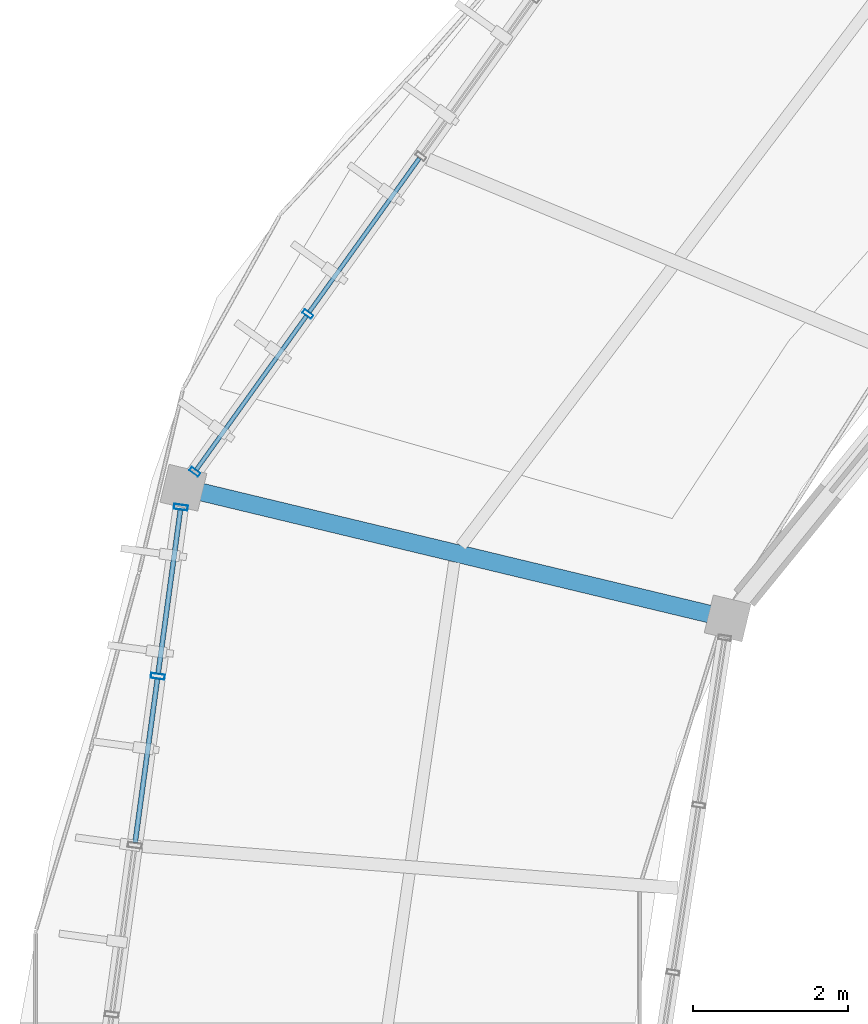
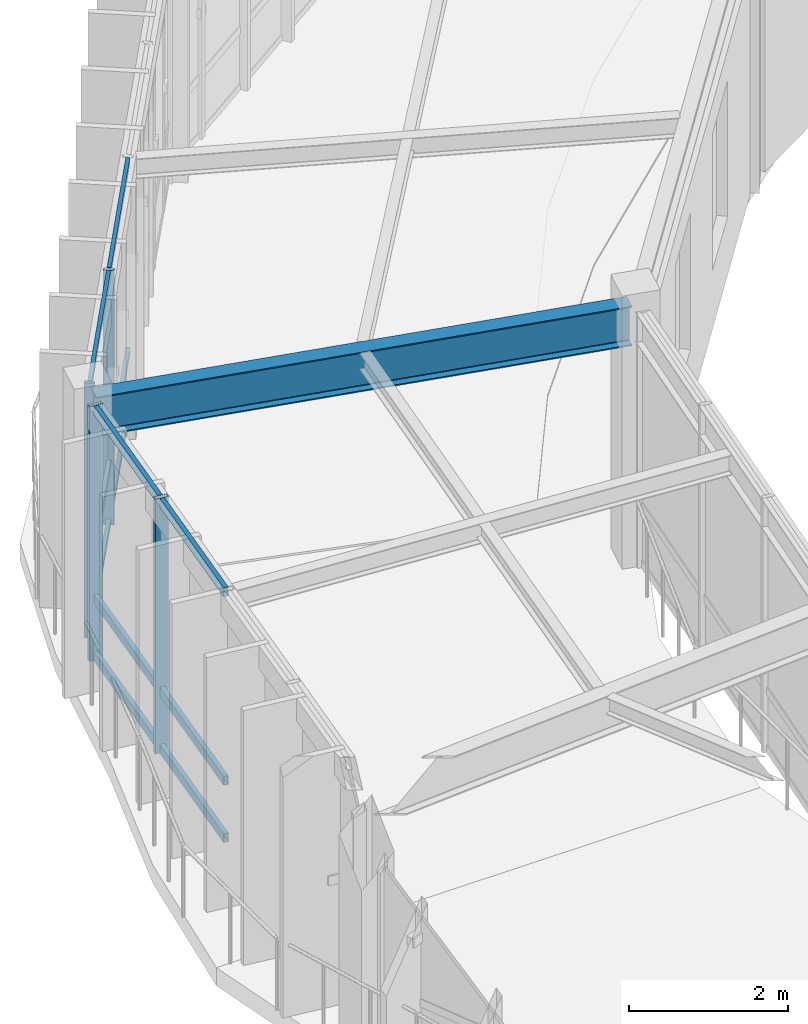
# One storey, part 23 of 78: 16 members, 1 beam, 2 elements without a shape of their own.
"""IFC4 building model written with IfcOpenShell, lengths in metres."""

import ifcopenshell
import ifcopenshell.guid

model = None  # the IFC model being written
_history = None  # IfcOwnerHistory: only IFC2X3 demands one
_inside = {}  # id of a spatial element -> (the spatial element, [elements in it])
_under = {}  # id of a project, library or spatial element -> (it, [spatial elements below it])
_declared = {}  # id of a project -> (the project, [libraries it declares])
_typed = {}  # id of a type object -> (the type object, [elements of that type])
_made_of = {}  # id of a material, layer set ... -> (it, [elements and type objects made of it])


def new_model(schema):
    """Start an empty IFC model of exactly this schema.

    Asked for "IFC4X3", IfcOpenShell would pick the latest addendum, in which some entities
    have other attributes; the version numbers below select the first issue.
    IFC2X3 requires an IfcOwnerHistory on every rooted entity: one is made here for all.
    """
    global model, _history
    if schema == "IFC4X3":
        model = ifcopenshell.file(schema_version=(4, 3, 0, 0))
    else:
        model = ifcopenshell.file(schema=schema)
    _inside.clear()
    _under.clear()
    _declared.clear()
    _typed.clear()
    _made_of.clear()
    _history = None
    if model.schema == "IFC2X3":
        org = make("IfcOrganization", Name="unknown")
        user = make(
            "IfcPersonAndOrganization",
            ThePerson=make("IfcPerson", FamilyName="unknown"),
            TheOrganization=org,
        )
        app = make(
            "IfcApplication",
            ApplicationDeveloper=org,
            Version="unknown",
            ApplicationFullName="unknown",
            ApplicationIdentifier="unknown",
        )
        _history = make(
            "IfcOwnerHistory",
            OwningUser=user,
            OwningApplication=app,
            ChangeAction="ADDED",
            CreationDate=0,
        )
    return model


def make(cls, **values):
    """One entity of the class cls with the attributes given. An attribute that is None is left unset."""
    return model.create_entity(
        cls, **{name: value for name, value in values.items() if value is not None}
    )


def rooted(cls, **values):
    """An entity with a GlobalId (a new one), such as an element, a storey or a relation."""
    return make(cls, GlobalId=ifcopenshell.guid.new(), OwnerHistory=_history, **values)


def si_unit(unit_type, name, prefix=None):
    """IfcSIUnit, for example si_unit("LENGTHUNIT", "METRE", prefix="MILLI")."""
    return make("IfcSIUnit", UnitType=unit_type, Prefix=prefix, Name=name)


def assignment(units):
    """IfcUnitAssignment: the units of a project."""
    return None if units is None else make("IfcUnitAssignment", Units=units)


def point(xyz):
    """IfcCartesianPoint."""
    return None if xyz is None else make("IfcCartesianPoint", Coordinates=xyz)


def direction(xyz):
    """IfcDirection."""
    return None if xyz is None else make("IfcDirection", DirectionRatios=xyz)


def frame(location, z_axis=None, x_axis=None):
    """IfcAxis2Placement3D, a coordinate frame: its origin and axes. An axis left out is left unset."""
    return make(
        "IfcAxis2Placement3D",
        Location=point(location),
        Axis=direction(z_axis),
        RefDirection=direction(x_axis),
    )


def frame_2d(location, x_axis=None):
    """IfcAxis2Placement2D, a coordinate frame in the plane: its origin and x axis."""
    return make(
        "IfcAxis2Placement2D", Location=point(location), RefDirection=direction(x_axis)
    )


def origin():
    """The frame at (0, 0, 0) with its axes left unset."""
    return frame((0.0, 0.0, 0.0))


def origin_2d():
    """The frame at (0, 0) in the plane with its x axis left unset."""
    return frame_2d((0.0, 0.0))


def place(relative_to, where):
    """IfcLocalPlacement: puts the frame where relative to a parent placement (None: the world)."""
    return make(
        "IfcLocalPlacement", PlacementRelTo=relative_to, RelativePlacement=where
    )


def context(
    kind, dimensions, precision=None, world=None, true_north=None, identifier=None
):
    """IfcGeometricRepresentationContext, for example the 3D "Model" context."""
    return make(
        "IfcGeometricRepresentationContext",
        ContextIdentifier=identifier,
        ContextType=kind,
        CoordinateSpaceDimension=dimensions,
        Precision=precision,
        WorldCoordinateSystem=world,
        TrueNorth=true_north,
    )


def subcontext(parent, identifier, kind, view, scale=None):
    """IfcGeometricRepresentationSubContext, for example "Body" below "Model"."""
    return make(
        "IfcGeometricRepresentationSubContext",
        ContextIdentifier=identifier,
        ContextType=kind,
        ParentContext=parent,
        TargetScale=scale,
        TargetView=view,
    )


def project(units=None, contexts=None):
    """IfcProject with its units and contexts."""
    return rooted(
        "IfcProject",
        Name="project",
        RepresentationContexts=contexts,
        UnitsInContext=assignment(units),
    )


def spatial(cls, under=None, at=None, **own):
    """A site, building, storey or space (cls), placed at a placement, below another one or the project."""
    s = rooted(cls, ObjectPlacement=at, **own)
    if under is not None:
        _under.setdefault(under.id(), (under, []))[1].append(s)
    return s


def profile(cls, at=None, kind="AREA", **sizes):
    """A parametric profile (cls). Its sizes go by their IFC names, for example OverallWidth=200.0."""
    return make(cls, ProfileType=kind, Position=at, **sizes)


def hollow_rectangle(**sizes):
    """IfcRectangleHollowProfileDef."""
    return profile("IfcRectangleHollowProfileDef", **sizes)


def i_section(**sizes):
    """IfcIShapeProfileDef."""
    return profile("IfcIShapeProfileDef", **sizes)


def extrude(swept, where, along, depth):
    """IfcExtrudedAreaSolid: the profile swept, set in the frame where, extruded along a direction by depth."""
    return make(
        "IfcExtrudedAreaSolid",
        SweptArea=swept,
        Position=where,
        ExtrudedDirection=direction(along),
        Depth=depth,
    )


def shape(context_of_items, identifier, shape_type, items):
    """IfcShapeRepresentation: the items that make up one representation, for example the "Body"."""
    return make(
        "IfcShapeRepresentation",
        ContextOfItems=context_of_items,
        RepresentationIdentifier=identifier,
        RepresentationType=shape_type,
        Items=items,
    )


def material(Name=None, Category=None):
    """IfcMaterial."""
    return make("IfcMaterial", Name=Name, Category=Category)


def material_profile(
    of_material, cross_section, Name=None, Category=None, Priority=None
):
    """IfcMaterialProfile: a cross section and its material."""
    return make(
        "IfcMaterialProfile",
        Name=Name,
        Material=of_material,
        Profile=cross_section,
        Priority=Priority,
        Category=Category,
    )


def profile_set(profiles, Name=None, composite=None):
    """IfcMaterialProfileSet."""
    return make(
        "IfcMaterialProfileSet",
        Name=Name,
        MaterialProfiles=profiles,
        CompositeProfile=composite,
    )


def made_of(thing, what):
    """Note that an element or type object is made of a material, layer set ...; save() writes the relation."""
    if what is not None:
        _made_of.setdefault(what.id(), (what, []))[1].append(thing)
    return thing


def type_object(cls, material=None, **own):
    """A type object (cls), such as IfcWallType, which elements share."""
    return made_of(rooted(cls, **own), material)


def element(
    cls,
    number,
    at=None,
    inside=None,
    cuts=None,
    type_object=None,
    material=None,
    context=None,
    identifier="Body",
    shape_type=None,
    held_by="IfcProductDefinitionShape",
    body=None,
    shapes=None,
    **own,
):
    """One element of the class cls, such as IfcWall. Its Tag is "e" and its number.

    at: its placement. inside: the storey or other place that contains it. cuts: it is an
    opening in that element (IfcRelVoidsElement). A single representation is given by context,
    identifier, shape_type and body (its items); several are given by shapes. held_by: the class
    of the entity that holds the representations. save() writes the other relations.
    """
    e = rooted(cls, Tag="e%d" % number, ObjectPlacement=at, **own)
    if body is not None:
        shapes = [shape(context, identifier, shape_type, body)]
    if shapes is not None:
        e.Representation = make(held_by, Representations=shapes)
    if inside is not None:
        _inside.setdefault(inside.id(), (inside, []))[1].append(e)
    if cuts is not None:
        rooted(
            "IfcRelVoidsElement", RelatingBuildingElement=cuts, RelatedOpeningElement=e
        )
    if type_object is not None:
        _typed.setdefault(type_object.id(), (type_object, []))[1].append(e)
    return made_of(e, material)


def aggregate(whole, parts):
    """IfcRelAggregates: a whole, such as a stair, and the parts it consists of."""
    return rooted("IfcRelAggregates", RelatingObject=whole, RelatedObjects=parts)


def save(model, path):
    """Write the relations noted so far, then the file.

    IfcRelAggregates (storeys below a building ...), IfcRelContainedInSpatialStructure (elements
    in a storey), IfcRelDefinesByType, IfcRelAssociatesMaterial and IfcRelDeclares: one each for
    every whole, place, type object, material and project.
    """
    for whole, parts in _under.values():
        aggregate(whole, parts)
    for where, things in _inside.values():
        rooted(
            "IfcRelContainedInSpatialStructure",
            RelatedElements=things,
            RelatingStructure=where,
        )
    for kind, things in _typed.values():
        rooted("IfcRelDefinesByType", RelatedObjects=things, RelatingType=kind)
    for what, things in _made_of.values():
        rooted("IfcRelAssociatesMaterial", RelatedObjects=things, RelatingMaterial=what)
    for by, libraries in _declared.values():
        rooted("IfcRelDeclares", RelatingContext=by, RelatedDefinitions=libraries)
    model.write(path)


model = new_model("IFC4")

# Units and contexts
model_context = context("Model", 3, precision=1e-05, world=origin(), true_north=direction((0.0, 1.0)))
body_context = subcontext(model_context, "Body", "Model", "MODEL_VIEW")
ifc_project = project(units=[si_unit("LENGTHUNIT", "METRE"), si_unit("AREAUNIT", "SQUARE_METRE"), si_unit("VOLUMEUNIT", "CUBIC_METRE"), si_unit("PLANEANGLEUNIT", "RADIAN"), si_unit("MASSUNIT", "GRAM", prefix="KILO"), si_unit("THERMODYNAMICTEMPERATUREUNIT", "KELVIN"), si_unit("POWERUNIT", "WATT")], contexts=[model_context])

# Site, building, storey
site_placement = place(None, origin())
site = spatial("IfcSite", under=ifc_project, at=site_placement, CompositionType="ELEMENT")
building_placement = place(site_placement, origin())
building = spatial("IfcBuilding", under=site, at=building_placement, Name="Darbajah Civic Hall", CompositionType="ELEMENT")
storey_placement = place(building_placement, frame((0.0, 0.0, 26.39990234375)))
storey = spatial("IfcBuildingStorey", under=building, at=storey_placement, Name="L06", CompositionType="ELEMENT", Elevation=26.39990234375)

# Curtain wall, members
ifc_material_1 = material(Name="Anodised Bronze Aluminium and Low-E Glazing", Category="aluminium")
curtain_wall_type_1 = type_object("IfcCurtainWallType", Name="Unitised Curtain Wall CW-88 10000x3900", PredefinedType="USERDEFINED", material=ifc_material_1)
curtain_wall_1_placement = place(storey_placement, origin())
curtain_wall_1 = element("IfcCurtainWall", 1, at=curtain_wall_1_placement, inside=storey, type_object=curtain_wall_type_1, Name="L06 unitised curtain wall CW-V1O-L06-08", ObjectType="UNITISED CURTAIN WALL", PredefinedType="USERDEFINED")
ifc_material_2 = material(Name="Anodised Bronze Aluminium", Category="aluminium")
ifc_material_profile_1 = material_profile(ifc_material_2, hollow_rectangle(XDim=0.054931640625, YDim=0.139892578125, WallThickness=0.003173828125, at=origin_2d()), Name="ALU MULLION 55x140")
ifc_profile_set_1 = profile_set([ifc_material_profile_1], Name="Anodised Bronze Aluminium")
member_type_1 = type_object("IfcMemberType", Name="ALU MULLION 55x140", PredefinedType="MULLION", material=ifc_profile_set_1)
member_1_placement = place(storey_placement, frame((41.10888671875, 98.9208984375, 0.0), z_axis=(0.0, 0.0, 1.0), x_axis=(-0.582264874145, -0.812999149039, 0.0)))
member_1 = element("IfcMember", 2, at=member_1_placement, type_object=member_type_1, Name="CW-V1O-L06-08 mullion 4", PredefinedType="MULLION", context=body_context, shape_type="SweptSolid", body=[
    extrude(hollow_rectangle(XDim=0.054931640625, YDim=0.139892578125, WallThickness=0.003173828125, at=origin_2d()), origin(), (0.0, 0.0, 1.0), 3.920166015625),
])
member_2_placement = place(storey_placement, frame((39.65576171875, 96.8916015625, 0.0), z_axis=(0.0, 0.0, 1.0), x_axis=(-0.582264874145, -0.812999149039, 0.0)))
member_2 = element("IfcMember", 3, at=member_2_placement, type_object=member_type_1, Name="CW-V1O-L06-08 mullion 5", PredefinedType="MULLION", context=body_context, shape_type="SweptSolid", body=[
    extrude(hollow_rectangle(XDim=0.054931640625, YDim=0.139892578125, WallThickness=0.003173828125, at=origin_2d()), origin(), (0.0, 0.0, 1.0), 3.920166015625),
])

curtain_wall_type_2 = type_object("IfcCurtainWallType", Name="Unitised Curtain Wall CW-89 8800x3900", PredefinedType="USERDEFINED", material=ifc_material_1)
curtain_wall_2_placement = place(storey_placement, origin())
curtain_wall_2 = element("IfcCurtainWall", 4, at=curtain_wall_2_placement, inside=storey, type_object=curtain_wall_type_2, Name="L06 unitised curtain wall CW-V1O-L06-09", ObjectType="UNITISED CURTAIN WALL", PredefinedType="USERDEFINED")
ifc_material_profile_2 = material_profile(ifc_material_2, hollow_rectangle(XDim=0.06494140625, YDim=0.179931640625, WallThickness=0.00390625, at=origin_2d()), Name="ALU MULLION 65x180")
ifc_profile_set_2 = profile_set([ifc_material_profile_2], Name="Anodised Bronze Aluminium")
member_type_2 = type_object("IfcMemberType", Name="ALU MULLION 65x180", PredefinedType="MULLION", material=ifc_profile_set_2)
member_3_placement = place(storey_placement, frame((39.47509765625, 96.43701171875, 0.0), z_axis=(0.0, 0.0, 1.0), x_axis=(-0.134850930274, -0.990865897387, 0.0)))
member_3 = element("IfcMember", 5, at=member_3_placement, type_object=member_type_2, Name="CW-V1O-L06-09 mullion 1", PredefinedType="MULLION", context=body_context, shape_type="SweptSolid", body=[
    extrude(hollow_rectangle(XDim=0.06494140625, YDim=0.179931640625, WallThickness=0.00390625, at=origin_2d()), origin(), (0.0, 0.0, 1.0), 3.920166015625),
])
member_4_placement = place(storey_placement, frame((39.17919921875, 94.261474609375, 0.0), z_axis=(0.0, 0.0, 1.0), x_axis=(-0.134850930274, -0.990865897387, 0.0)))
member_4 = element("IfcMember", 6, at=member_4_placement, type_object=member_type_2, Name="CW-V1O-L06-09 mullion 2", PredefinedType="MULLION", context=body_context, shape_type="SweptSolid", body=[
    extrude(hollow_rectangle(XDim=0.06494140625, YDim=0.179931640625, WallThickness=0.00390625, at=origin_2d()), origin(), (0.0, 0.0, 1.0), 3.920166015625),
])

# Member
ifc_material_profile_3 = material_profile(ifc_material_2, hollow_rectangle(XDim=0.054931640625, YDim=0.10009765625, WallThickness=0.0029296875, at=origin_2d()), Name="ALU TRANSOM 55x100")
ifc_profile_set_3 = profile_set([ifc_material_profile_3], Name="Anodised Bronze Aluminium")
member_type_3 = type_object("IfcMemberType", Name="ALU TRANSOM 55x100", PredefinedType="USERDEFINED", material=ifc_profile_set_3)
member_5_placement = place(storey_placement, frame((42.543212890625, 100.923583984375, 0.050048828125), z_axis=(-0.582225835504, -0.813027106849, 0.0), x_axis=(0.813027106849, -0.582225835504, 0.0)))
member_5 = element("IfcMember", 7, at=member_5_placement, type_object=member_type_3, Name="CW-V1O-L06-08 transom 3.1", ObjectType="TRANSOM", PredefinedType="USERDEFINED", context=body_context, shape_type="SweptSolid", body=[
    extrude(hollow_rectangle(XDim=0.054931640625, YDim=0.10009765625, WallThickness=0.0029296875, at=origin_2d()), origin(), (0.0, 0.0, 1.0), 2.430908203125),
])

member_6_placement = place(storey_placement, frame((42.543212890625, 100.923583984375, 0.9501953125), z_axis=(-0.582225835504, -0.813027106849, 0.0), x_axis=(0.813027106849, -0.582225835504, 0.0)))
member_6 = element("IfcMember", 8, at=member_6_placement, type_object=member_type_3, Name="CW-V1O-L06-08 transom 3.2", ObjectType="TRANSOM", PredefinedType="USERDEFINED", context=body_context, shape_type="SweptSolid", body=[
    extrude(hollow_rectangle(XDim=0.054931640625, YDim=0.10009765625, WallThickness=0.0029296875, at=origin_2d()), origin(), (0.0, 0.0, 1.0), 2.430908203125),
])

member_7_placement = place(storey_placement, frame((42.543212890625, 100.923583984375, 3.8701171875), z_axis=(-0.582225835504, -0.813027106849, 0.0), x_axis=(0.813027106849, -0.582225835504, 0.0)))
member_7 = element("IfcMember", 9, at=member_7_placement, type_object=member_type_3, Name="CW-V1O-L06-08 transom 3.3", ObjectType="TRANSOM", PredefinedType="USERDEFINED", context=body_context, shape_type="SweptSolid", body=[
    extrude(hollow_rectangle(XDim=0.054931640625, YDim=0.10009765625, WallThickness=0.0029296875, at=origin_2d()), origin(), (0.0, 0.0, 1.0), 2.430908203125),
])

member_8_placement = place(storey_placement, frame((41.090087890625, 98.894287109375, 0.050048828125), z_axis=(-0.582225835504, -0.813027106849, 0.0), x_axis=(0.813027106849, -0.582225835504, 0.0)))
member_8 = element("IfcMember", 10, at=member_8_placement, type_object=member_type_3, Name="CW-V1O-L06-08 transom 4.1", ObjectType="TRANSOM", PredefinedType="USERDEFINED", context=body_context, shape_type="SweptSolid", body=[
    extrude(hollow_rectangle(XDim=0.054931640625, YDim=0.10009765625, WallThickness=0.0029296875, at=origin_2d()), origin(), (0.0, 0.0, 1.0), 2.430908203125),
])

member_9_placement = place(storey_placement, frame((41.090087890625, 98.894287109375, 0.9501953125), z_axis=(-0.582225835504, -0.813027106849, 0.0), x_axis=(0.813027106849, -0.582225835504, 0.0)))
member_9 = element("IfcMember", 11, at=member_9_placement, type_object=member_type_3, Name="CW-V1O-L06-08 transom 4.2", ObjectType="TRANSOM", PredefinedType="USERDEFINED", context=body_context, shape_type="SweptSolid", body=[
    extrude(hollow_rectangle(XDim=0.054931640625, YDim=0.10009765625, WallThickness=0.0029296875, at=origin_2d()), origin(), (0.0, 0.0, 1.0), 2.430908203125),
])

member_10_placement = place(storey_placement, frame((41.090087890625, 98.894287109375, 3.8701171875), z_axis=(-0.582225835504, -0.813027106849, 0.0), x_axis=(0.813027106849, -0.582225835504, 0.0)))
member_10 = element("IfcMember", 12, at=member_10_placement, type_object=member_type_3, Name="CW-V1O-L06-08 transom 4.3", ObjectType="TRANSOM", PredefinedType="USERDEFINED", context=body_context, shape_type="SweptSolid", body=[
    extrude(hollow_rectangle(XDim=0.054931640625, YDim=0.10009765625, WallThickness=0.0029296875, at=origin_2d()), origin(), (0.0, 0.0, 1.0), 2.430908203125),
])

aggregate(curtain_wall_1, [member_1, member_2, member_5, member_6, member_7, member_8, member_9, member_10])

ifc_material_profile_4 = material_profile(ifc_material_2, hollow_rectangle(XDim=0.06494140625, YDim=0.139892578125, WallThickness=0.00341796875, at=origin_2d()), Name="ALU TRANSOM 65x140")
ifc_profile_set_4 = profile_set([ifc_material_profile_4], Name="Anodised Bronze Aluminium")
member_type_4 = type_object("IfcMemberType", Name="ALU TRANSOM 65x140", PredefinedType="USERDEFINED", material=ifc_profile_set_4)
member_11_placement = place(storey_placement, frame((39.469970703125, 96.399658203125, 0.070068359375), z_axis=(-0.13482547321, -0.990869361608, 0.0), x_axis=(0.990869361608, -0.13482547321, 0.0)))
member_11 = element("IfcMember", 13, at=member_11_placement, type_object=member_type_4, Name="CW-V1O-L06-09 transom 1.1", ObjectType="TRANSOM", PredefinedType="USERDEFINED", context=body_context, shape_type="SweptSolid", body=[
    extrude(hollow_rectangle(XDim=0.06494140625, YDim=0.139892578125, WallThickness=0.00341796875, at=origin_2d()), origin(), (0.0, 0.0, 1.0), 2.120361328125),
])

member_12_placement = place(storey_placement, frame((39.469970703125, 96.399658203125, 0.9501953125), z_axis=(-0.13482547321, -0.990869361608, 0.0), x_axis=(0.990869361608, -0.13482547321, 0.0)))
member_12 = element("IfcMember", 14, at=member_12_placement, type_object=member_type_4, Name="CW-V1O-L06-09 transom 1.2", ObjectType="TRANSOM", PredefinedType="USERDEFINED", context=body_context, shape_type="SweptSolid", body=[
    extrude(hollow_rectangle(XDim=0.06494140625, YDim=0.139892578125, WallThickness=0.00341796875, at=origin_2d()), origin(), (0.0, 0.0, 1.0), 2.120361328125),
])

member_13_placement = place(storey_placement, frame((39.469970703125, 96.399658203125, 3.85009765625), z_axis=(-0.13482547321, -0.990869361608, 0.0), x_axis=(0.990869361608, -0.13482547321, 0.0)))
member_13 = element("IfcMember", 15, at=member_13_placement, type_object=member_type_4, Name="CW-V1O-L06-09 transom 1.3", ObjectType="TRANSOM", PredefinedType="USERDEFINED", context=body_context, shape_type="SweptSolid", body=[
    extrude(hollow_rectangle(XDim=0.06494140625, YDim=0.139892578125, WallThickness=0.00341796875, at=origin_2d()), origin(), (0.0, 0.0, 1.0), 2.120361328125),
])

member_14_placement = place(storey_placement, frame((39.174072265625, 94.224365234375, 0.070068359375), z_axis=(-0.13482547321, -0.990869361608, 0.0), x_axis=(0.990869361608, -0.13482547321, 0.0)))
member_14 = element("IfcMember", 16, at=member_14_placement, type_object=member_type_4, Name="CW-V1O-L06-09 transom 2.1", ObjectType="TRANSOM", PredefinedType="USERDEFINED", context=body_context, shape_type="SweptSolid", body=[
    extrude(hollow_rectangle(XDim=0.06494140625, YDim=0.139892578125, WallThickness=0.00341796875, at=origin_2d()), origin(), (0.0, 0.0, 1.0), 2.120361328125),
])

member_15_placement = place(storey_placement, frame((39.174072265625, 94.224365234375, 0.9501953125), z_axis=(-0.13482547321, -0.990869361608, 0.0), x_axis=(0.990869361608, -0.13482547321, 0.0)))
member_15 = element("IfcMember", 17, at=member_15_placement, type_object=member_type_4, Name="CW-V1O-L06-09 transom 2.2", ObjectType="TRANSOM", PredefinedType="USERDEFINED", context=body_context, shape_type="SweptSolid", body=[
    extrude(hollow_rectangle(XDim=0.06494140625, YDim=0.139892578125, WallThickness=0.00341796875, at=origin_2d()), origin(), (0.0, 0.0, 1.0), 2.120361328125),
])

member_16_placement = place(storey_placement, frame((39.174072265625, 94.224365234375, 3.85009765625), z_axis=(-0.13482547321, -0.990869361608, 0.0), x_axis=(0.990869361608, -0.13482547321, 0.0)))
member_16 = element("IfcMember", 18, at=member_16_placement, type_object=member_type_4, Name="CW-V1O-L06-09 transom 2.3", ObjectType="TRANSOM", PredefinedType="USERDEFINED", context=body_context, shape_type="SweptSolid", body=[
    extrude(hollow_rectangle(XDim=0.06494140625, YDim=0.139892578125, WallThickness=0.00341796875, at=origin_2d()), origin(), (0.0, 0.0, 1.0), 2.120361328125),
])

aggregate(curtain_wall_2, [member_3, member_4, member_11, member_12, member_13, member_14, member_15, member_16])

# Beam
ifc_material_3 = material(Name="Steel S355JR", Category="steel")
ifc_material_profile_5 = material_profile(ifc_material_3, i_section(OverallWidth=0.228271484375, OverallDepth=0.607666015625, WebThickness=0.010986328125, FlangeThickness=0.017333984375, FilletRadius=0.0126953125, at=origin_2d()), Name="UB 610x229x113")
ifc_profile_set_5 = profile_set([ifc_material_profile_5], Name="Steel S355JR")
beam_type = type_object("IfcBeamType", Name="UB 610x229x113", PredefinedType="BEAM", material=ifc_profile_set_5)
beam_placement = place(storey_placement, frame((46.432373046875, 95.0244140625, 3.6162109375), z_axis=(-0.972366522162, 0.233459518071, 0.0), x_axis=(-0.233459518071, -0.972366522162, 0.0)))
element("IfcBeam", 19, at=beam_placement, inside=storey, type_object=beam_type, Name="L06 beam SB-610", PredefinedType="BEAM", context=body_context, shape_type="SweptSolid", body=[
    extrude(i_section(OverallWidth=0.228271484375, OverallDepth=0.607666015625, WebThickness=0.010986328125, FlangeThickness=0.017333984375, FilletRadius=0.0126953125, at=origin_2d()), origin(), (0.0, 0.0, 1.0), 7.0400390625),
])

save(model, "model.ifc")
